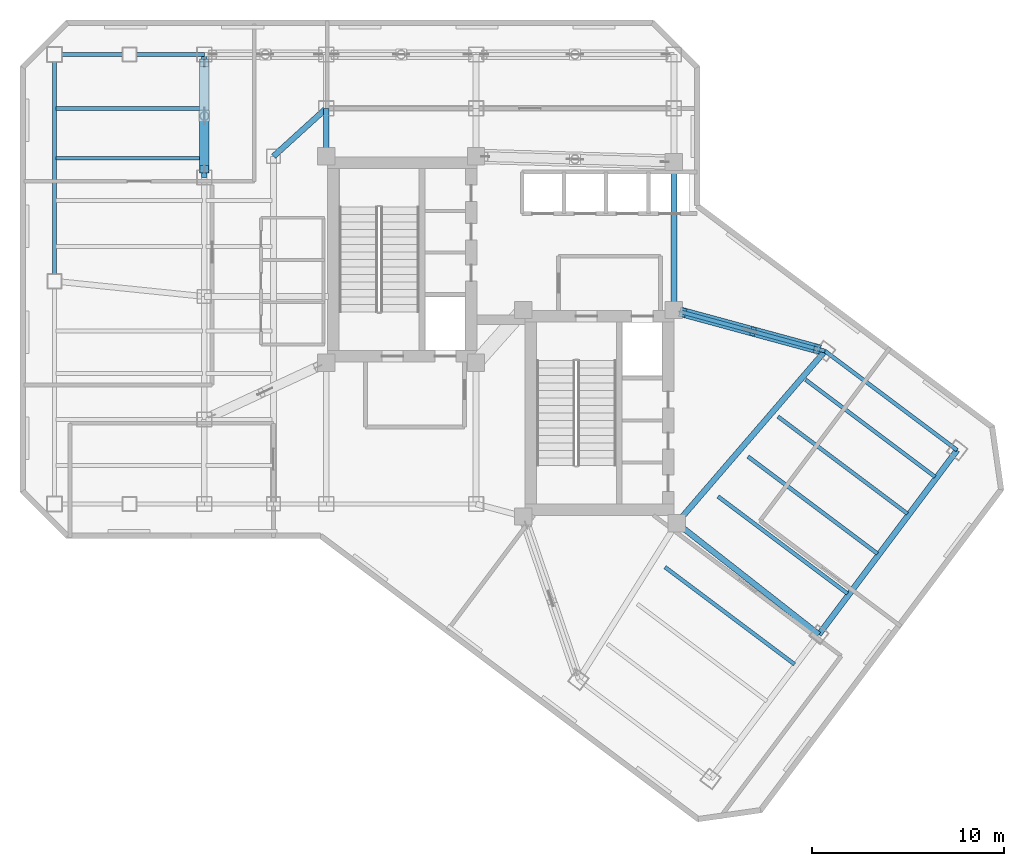
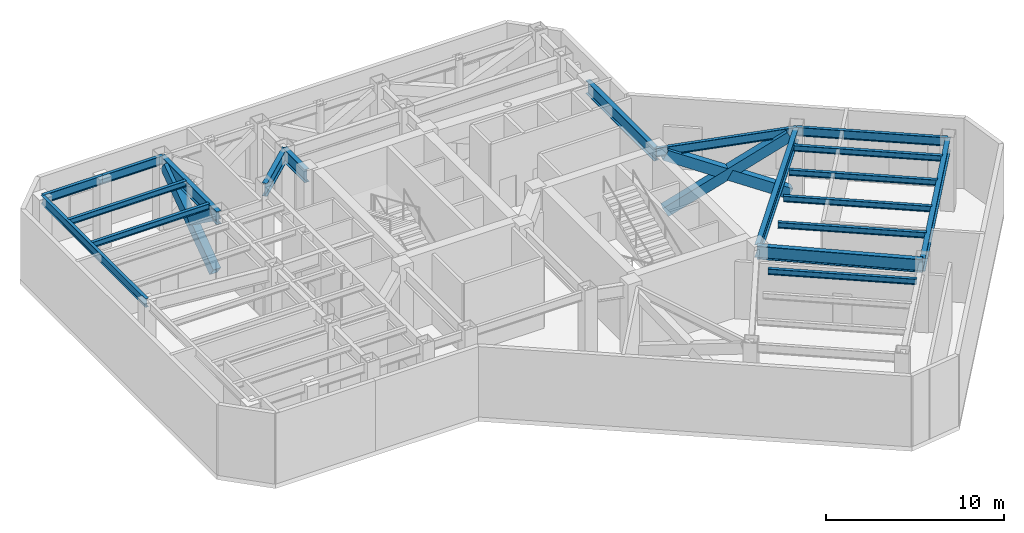
# One storey, part 2 of 12: 19 beams, 5 members.
"""IFC4 building model written with IfcOpenShell, lengths in metres."""

import ifcopenshell
import ifcopenshell.guid

model = None  # the IFC model being written
_history = None  # IfcOwnerHistory: only IFC2X3 demands one
_inside = {}  # id of a spatial element -> (the spatial element, [elements in it])
_under = {}  # id of a project, library or spatial element -> (it, [spatial elements below it])
_declared = {}  # id of a project -> (the project, [libraries it declares])
_typed = {}  # id of a type object -> (the type object, [elements of that type])
_made_of = {}  # id of a material, layer set ... -> (it, [elements and type objects made of it])


def new_model(schema):
    """Start an empty IFC model of exactly this schema.

    Asked for "IFC4X3", IfcOpenShell would pick the latest addendum, in which some entities
    have other attributes; the version numbers below select the first issue.
    IFC2X3 requires an IfcOwnerHistory on every rooted entity: one is made here for all.
    """
    global model, _history
    if schema == "IFC4X3":
        model = ifcopenshell.file(schema_version=(4, 3, 0, 0))
    else:
        model = ifcopenshell.file(schema=schema)
    _inside.clear()
    _under.clear()
    _declared.clear()
    _typed.clear()
    _made_of.clear()
    _history = None
    if model.schema == "IFC2X3":
        org = make("IfcOrganization", Name="unknown")
        user = make(
            "IfcPersonAndOrganization",
            ThePerson=make("IfcPerson", FamilyName="unknown"),
            TheOrganization=org,
        )
        app = make(
            "IfcApplication",
            ApplicationDeveloper=org,
            Version="unknown",
            ApplicationFullName="unknown",
            ApplicationIdentifier="unknown",
        )
        _history = make(
            "IfcOwnerHistory",
            OwningUser=user,
            OwningApplication=app,
            ChangeAction="ADDED",
            CreationDate=0,
        )
    return model


def make(cls, **values):
    """One entity of the class cls with the attributes given. An attribute that is None is left unset."""
    return model.create_entity(
        cls, **{name: value for name, value in values.items() if value is not None}
    )


def rooted(cls, **values):
    """An entity with a GlobalId (a new one), such as an element, a storey or a relation."""
    return make(cls, GlobalId=ifcopenshell.guid.new(), OwnerHistory=_history, **values)


def si_unit(unit_type, name, prefix=None):
    """IfcSIUnit, for example si_unit("LENGTHUNIT", "METRE", prefix="MILLI")."""
    return make("IfcSIUnit", UnitType=unit_type, Prefix=prefix, Name=name)


def assignment(units):
    """IfcUnitAssignment: the units of a project."""
    return None if units is None else make("IfcUnitAssignment", Units=units)


def point(xyz):
    """IfcCartesianPoint."""
    return None if xyz is None else make("IfcCartesianPoint", Coordinates=xyz)


def direction(xyz):
    """IfcDirection."""
    return None if xyz is None else make("IfcDirection", DirectionRatios=xyz)


def frame(location, z_axis=None, x_axis=None):
    """IfcAxis2Placement3D, a coordinate frame: its origin and axes. An axis left out is left unset."""
    return make(
        "IfcAxis2Placement3D",
        Location=point(location),
        Axis=direction(z_axis),
        RefDirection=direction(x_axis),
    )


def frame_2d(location, x_axis=None):
    """IfcAxis2Placement2D, a coordinate frame in the plane: its origin and x axis."""
    return make(
        "IfcAxis2Placement2D", Location=point(location), RefDirection=direction(x_axis)
    )


def origin():
    """The frame at (0, 0, 0) with its axes left unset."""
    return frame((0.0, 0.0, 0.0))


def origin_2d():
    """The frame at (0, 0) in the plane with its x axis left unset."""
    return frame_2d((0.0, 0.0))


def place(relative_to, where):
    """IfcLocalPlacement: puts the frame where relative to a parent placement (None: the world)."""
    return make(
        "IfcLocalPlacement", PlacementRelTo=relative_to, RelativePlacement=where
    )


def context(
    kind, dimensions, precision=None, world=None, true_north=None, identifier=None
):
    """IfcGeometricRepresentationContext, for example the 3D "Model" context."""
    return make(
        "IfcGeometricRepresentationContext",
        ContextIdentifier=identifier,
        ContextType=kind,
        CoordinateSpaceDimension=dimensions,
        Precision=precision,
        WorldCoordinateSystem=world,
        TrueNorth=true_north,
    )


def subcontext(parent, identifier, kind, view, scale=None):
    """IfcGeometricRepresentationSubContext, for example "Body" below "Model"."""
    return make(
        "IfcGeometricRepresentationSubContext",
        ContextIdentifier=identifier,
        ContextType=kind,
        ParentContext=parent,
        TargetScale=scale,
        TargetView=view,
    )


def project(units=None, contexts=None):
    """IfcProject with its units and contexts."""
    return rooted(
        "IfcProject",
        Name="project",
        RepresentationContexts=contexts,
        UnitsInContext=assignment(units),
    )


def spatial(cls, under=None, at=None, **own):
    """A site, building, storey or space (cls), placed at a placement, below another one or the project."""
    s = rooted(cls, ObjectPlacement=at, **own)
    if under is not None:
        _under.setdefault(under.id(), (under, []))[1].append(s)
    return s


def profile(cls, at=None, kind="AREA", **sizes):
    """A parametric profile (cls). Its sizes go by their IFC names, for example OverallWidth=200.0."""
    return make(cls, ProfileType=kind, Position=at, **sizes)


def hollow_rectangle(**sizes):
    """IfcRectangleHollowProfileDef."""
    return profile("IfcRectangleHollowProfileDef", **sizes)


def i_section(**sizes):
    """IfcIShapeProfileDef."""
    return profile("IfcIShapeProfileDef", **sizes)


def extrude(swept, where, along, depth):
    """IfcExtrudedAreaSolid: the profile swept, set in the frame where, extruded along a direction by depth."""
    return make(
        "IfcExtrudedAreaSolid",
        SweptArea=swept,
        Position=where,
        ExtrudedDirection=direction(along),
        Depth=depth,
    )


def shape(context_of_items, identifier, shape_type, items):
    """IfcShapeRepresentation: the items that make up one representation, for example the "Body"."""
    return make(
        "IfcShapeRepresentation",
        ContextOfItems=context_of_items,
        RepresentationIdentifier=identifier,
        RepresentationType=shape_type,
        Items=items,
    )


def material(Name=None, Category=None):
    """IfcMaterial."""
    return make("IfcMaterial", Name=Name, Category=Category)


def material_profile(
    of_material, cross_section, Name=None, Category=None, Priority=None
):
    """IfcMaterialProfile: a cross section and its material."""
    return make(
        "IfcMaterialProfile",
        Name=Name,
        Material=of_material,
        Profile=cross_section,
        Priority=Priority,
        Category=Category,
    )


def profile_set(profiles, Name=None, composite=None):
    """IfcMaterialProfileSet."""
    return make(
        "IfcMaterialProfileSet",
        Name=Name,
        MaterialProfiles=profiles,
        CompositeProfile=composite,
    )


def made_of(thing, what):
    """Note that an element or type object is made of a material, layer set ...; save() writes the relation."""
    if what is not None:
        _made_of.setdefault(what.id(), (what, []))[1].append(thing)
    return thing


def type_object(cls, material=None, **own):
    """A type object (cls), such as IfcWallType, which elements share."""
    return made_of(rooted(cls, **own), material)


def element(
    cls,
    number,
    at=None,
    inside=None,
    cuts=None,
    type_object=None,
    material=None,
    context=None,
    identifier="Body",
    shape_type=None,
    held_by="IfcProductDefinitionShape",
    body=None,
    shapes=None,
    **own,
):
    """One element of the class cls, such as IfcWall. Its Tag is "e" and its number.

    at: its placement. inside: the storey or other place that contains it. cuts: it is an
    opening in that element (IfcRelVoidsElement). A single representation is given by context,
    identifier, shape_type and body (its items); several are given by shapes. held_by: the class
    of the entity that holds the representations. save() writes the other relations.
    """
    e = rooted(cls, Tag="e%d" % number, ObjectPlacement=at, **own)
    if body is not None:
        shapes = [shape(context, identifier, shape_type, body)]
    if shapes is not None:
        e.Representation = make(held_by, Representations=shapes)
    if inside is not None:
        _inside.setdefault(inside.id(), (inside, []))[1].append(e)
    if cuts is not None:
        rooted(
            "IfcRelVoidsElement", RelatingBuildingElement=cuts, RelatedOpeningElement=e
        )
    if type_object is not None:
        _typed.setdefault(type_object.id(), (type_object, []))[1].append(e)
    return made_of(e, material)


def aggregate(whole, parts):
    """IfcRelAggregates: a whole, such as a stair, and the parts it consists of."""
    return rooted("IfcRelAggregates", RelatingObject=whole, RelatedObjects=parts)


def save(model, path):
    """Write the relations noted so far, then the file.

    IfcRelAggregates (storeys below a building ...), IfcRelContainedInSpatialStructure (elements
    in a storey), IfcRelDefinesByType, IfcRelAssociatesMaterial and IfcRelDeclares: one each for
    every whole, place, type object, material and project.
    """
    for whole, parts in _under.values():
        aggregate(whole, parts)
    for where, things in _inside.values():
        rooted(
            "IfcRelContainedInSpatialStructure",
            RelatedElements=things,
            RelatingStructure=where,
        )
    for kind, things in _typed.values():
        rooted("IfcRelDefinesByType", RelatedObjects=things, RelatingType=kind)
    for what, things in _made_of.values():
        rooted("IfcRelAssociatesMaterial", RelatedObjects=things, RelatingMaterial=what)
    for by, libraries in _declared.values():
        rooted("IfcRelDeclares", RelatingContext=by, RelatedDefinitions=libraries)
    model.write(path)


model = new_model("IFC4")

# Units and contexts
model_context = context("Model", 3, precision=1e-05, world=origin(), true_north=direction((0.0, 1.0)))
body_context = subcontext(model_context, "Body", "Model", "MODEL_VIEW")
ifc_project = project(units=[si_unit("LENGTHUNIT", "METRE"), si_unit("AREAUNIT", "SQUARE_METRE"), si_unit("VOLUMEUNIT", "CUBIC_METRE"), si_unit("PLANEANGLEUNIT", "RADIAN"), si_unit("MASSUNIT", "GRAM", prefix="KILO")], contexts=[model_context])

# Site, building, storey
site_placement = place(None, origin())
site = spatial("IfcSite", under=ifc_project, at=site_placement, CompositionType="ELEMENT")
building_placement = place(site_placement, origin())
building = spatial("IfcBuilding", under=site, at=building_placement, Name="Hatsunagi Terrace Concourse", CompositionType="ELEMENT")
storey_placement = place(building_placement, frame((0.0, 0.0, 181.64990234375)))
storey = spatial("IfcBuildingStorey", under=building, at=storey_placement, Name="L48", CompositionType="ELEMENT", Elevation=181.64990234375)

# Beams
ifc_material_1 = material(Name="Steel SN490B", Category="steel")
ifc_material_profile_1 = material_profile(ifc_material_1, i_section(OverallWidth=0.300048828125, OverallDepth=0.89990234375, WebThickness=0.01611328125, FlangeThickness=0.028076171875, FilletRadius=0.02197265625, at=origin_2d()), Name="H-900x300x16x28")
ifc_profile_set_1 = profile_set([ifc_material_profile_1], Name="Steel SN490B")
beam_type_1 = type_object("IfcBeamType", Name="HeavyRefugeGirder_H_900x300", PredefinedType="BEAM", material=ifc_profile_set_1)
beam_1_placement = place(storey_placement, frame((43.64990234375, 35.300048828125, 4.400146484375), z_axis=(0.0, 1.0, 0.0), x_axis=(-1.0, 0.0, 0.0)))
element("IfcBeam", 1, at=beam_1_placement, inside=storey, type_object=beam_type_1, Name="Beam G-02 BM-L48-CBK3", PredefinedType="BEAM", context=body_context, shape_type="SweptSolid", body=[
    extrude(i_section(OverallWidth=0.300048828125, OverallDepth=0.89990234375, WebThickness=0.01611328125, FlangeThickness=0.028076171875, FilletRadius=0.02197265625, at=origin_2d()), origin(), (0.0, 0.0, 1.0), 7.699951171875),
])
beam_2_placement = place(storey_placement, frame((25.550048828125, 43.300048828125, 4.400146484375), z_axis=(0.0, 1.0, 0.0), x_axis=(-1.0, 0.0, 0.0)))
element("IfcBeam", 2, at=beam_2_placement, inside=storey, type_object=beam_type_1, Name="Beam G-02 BM-L48-CN1", PredefinedType="BEAM", context=body_context, shape_type="SweptSolid", body=[
    extrude(i_section(OverallWidth=0.300048828125, OverallDepth=0.89990234375, WebThickness=0.01611328125, FlangeThickness=0.028076171875, FilletRadius=0.02197265625, at=origin_2d()), origin(), (0.0, 0.0, 1.0), 2.5),
])
beam_3_placement = place(storey_placement, frame((22.800048828125, 43.300048828125, 4.400146484375), z_axis=(0.739940073396, 0.672672793996, 0.0), x_axis=(-0.672672793996, 0.739940073396, 0.0)))
element("IfcBeam", 3, at=beam_3_placement, inside=storey, type_object=beam_type_1, Name="Beam G-02 BM-L48-CWEW-N", PredefinedType="BEAM", context=body_context, shape_type="SweptSolid", body=[
    extrude(i_section(OverallWidth=0.300048828125, OverallDepth=0.89990234375, WebThickness=0.01611328125, FlangeThickness=0.028076171875, FilletRadius=0.02197265625, at=origin_2d()), origin(), (0.0, 0.0, 1.0), 3.716552734375),
])
beam_4_placement = place(storey_placement, frame((19.199951171875, 42.199951171875, 4.400146484375), z_axis=(0.0, 1.0, 0.0), x_axis=(-1.0, 0.0, 0.0)))
element("IfcBeam", 4, at=beam_4_placement, inside=storey, type_object=beam_type_1, Name="Beam G-02 BM-L48-NS-19-42", PredefinedType="BEAM", context=body_context, shape_type="SweptSolid", body=[
    extrude(i_section(OverallWidth=0.300048828125, OverallDepth=0.89990234375, WebThickness=0.01611328125, FlangeThickness=0.028076171875, FilletRadius=0.02197265625, at=origin_2d()), origin(), (0.0, 0.0, 1.0), 6.400146484375),
])
beam_5_placement = place(storey_placement, frame((43.800048828125, 24.199951171875, 4.400146484375), z_axis=(0.652739101421, 0.757582777969, 0.0), x_axis=(-0.757582777969, 0.652739101421, 0.0)))
element("IfcBeam", 5, at=beam_5_placement, inside=storey, type_object=beam_type_1, Name="Beam G-02 BM-L48-SET-1B", PredefinedType="BEAM", context=body_context, shape_type="SweptSolid", body=[
    extrude(i_section(OverallWidth=0.300048828125, OverallDepth=0.89990234375, WebThickness=0.01611328125, FlangeThickness=0.028076171875, FilletRadius=0.02197265625, at=origin_2d()), origin(), (0.0, 0.0, 1.0), 11.8271484375),
])
beam_6_placement = place(storey_placement, frame((43.800048828125, 24.199951171875, 4.400146484375), z_axis=(0.787049441068, -0.616889923175, 0.0), x_axis=(0.616889923175, 0.787049441068, 0.0)))
element("IfcBeam", 6, at=beam_6_placement, inside=storey, type_object=beam_type_1, Name="Beam G-02 BM-L48-SE-M2", PredefinedType="BEAM", context=body_context, shape_type="SweptSolid", body=[
    extrude(i_section(OverallWidth=0.300048828125, OverallDepth=0.89990234375, WebThickness=0.01611328125, FlangeThickness=0.028076171875, FilletRadius=0.02197265625, at=origin_2d()), origin(), (0.0, 0.0, 1.0), 9.402099609375),
])
beam_7_placement = place(storey_placement, frame((51.199951171875, 18.39990234375, 4.400146484375), z_axis=(0.59999348959, 0.800004882766, 0.0), x_axis=(-0.800004882766, 0.59999348959, 0.0)))
element("IfcBeam", 7, at=beam_7_placement, inside=storey, type_object=beam_type_1, Name="Beam G-02 BM-L48-SET-2B", PredefinedType="BEAM", context=body_context, shape_type="SweptSolid", body=[
    extrude(i_section(OverallWidth=0.300048828125, OverallDepth=0.89990234375, WebThickness=0.01611328125, FlangeThickness=0.028076171875, FilletRadius=0.02197265625, at=origin_2d()), origin(), (0.0, 0.0, 1.0), 12.0),
])

# Members
ifc_material_2 = material(Name="Steel SN490C", Category="steel")
ifc_material_profile_2 = material_profile(ifc_material_2, hollow_rectangle(XDim=0.5, YDim=0.699951171875, WallThickness=0.031982421875, at=origin_2d()), Name="RHS-700x500x32")
ifc_profile_set_2 = profile_set([ifc_material_profile_2], Name="Steel SN490C")
member_type = type_object("IfcMemberType", Name="OutriggerDiagonal_RHS_700x500x32", PredefinedType="BRACE", material=ifc_profile_set_2)
member_1_placement = place(storey_placement, frame((19.199951171875, 42.6279296875, 0.460205078125), z_axis=(0.0, 0.815830271687, 0.57829142117), x_axis=(-1.0, 0.0, 0.0)))
element("IfcMember", 8, at=member_1_placement, inside=storey, type_object=member_type, Name="Primary Continuous Brace OUT-01 OUT-L48-2A", PredefinedType="BRACE", context=body_context, shape_type="SweptSolid", body=[
    extrude(hollow_rectangle(XDim=0.5, YDim=0.699951171875, WallThickness=0.031982421875, at=origin_2d()), origin(), (0.0, 0.0, 1.0), 6.795654296875),
])
member_2_placement = place(storey_placement, frame((19.199951171875, 42.6279296875, 4.39013671875), z_axis=(0.0, 0.815834453323, -0.578285521842), x_axis=(-1.0, 0.0, 0.0)))
element("IfcMember", 9, at=member_2_placement, inside=storey, type_object=member_type, Name="Split Secondary Brace Upper OUT-01 OUT-L48-2B1", PredefinedType="BRACE", context=body_context, shape_type="SweptSolid", body=[
    extrude(hollow_rectangle(XDim=0.5, YDim=0.699951171875, WallThickness=0.031982421875, at=origin_2d()), origin(), (0.0, 0.0, 1.0), 3.258056640625),
])
member_3_placement = place(storey_placement, frame((44.111083984375, 35.175048828125, 0.460205078125), z_axis=(0.84832164511, -0.230768355388, 0.476546275391), x_axis=(0.262490491821, 0.964934578976, 0.0)))
element("IfcMember", 10, at=member_3_placement, inside=storey, type_object=member_type, Name="Primary Continuous Brace OUT-01 OUT-L48-6A", PredefinedType="BRACE", context=body_context, shape_type="SweptSolid", body=[
    extrude(hollow_rectangle(XDim=0.5, YDim=0.699951171875, WallThickness=0.031982421875, at=origin_2d()), origin(), (0.0, 0.0, 1.0), 8.24658203125),
])
for number, where, z_axis, x_axis, name in (
    (11, (44.111083984375, 35.175048828125, 4.39013671875), (0.848348278961, -0.230721309394, -0.476521641665), (0.262432992954, 0.964950218513, 0.0), "Split Secondary Brace Upper OUT-01 OUT-L48-6B1"),
    (12, (47.72802734375, 34.19091796875, 2.358154296875), (0.848348278961, -0.230721309394, -0.476521641665), (0.262432992954, 0.964950218513, 0.0), "Split Secondary Brace Lower OUT-01 OUT-L48-6B2"),
):
    element("IfcMember", number, at=place(storey_placement, frame(where, z_axis=z_axis, x_axis=x_axis)), inside=storey, type_object=member_type, Name=name, PredefinedType="BRACE", context=body_context, shape_type="SweptSolid", body=[
        extrude(hollow_rectangle(XDim=0.5, YDim=0.699951171875, WallThickness=0.031982421875, at=origin_2d()), origin(), (0.0, 0.0, 1.0), 3.98291015625),
    ])

# Beams
ifc_material_3 = material(Name="Steel SN490B", Category="steel")
ifc_material_profile_3 = material_profile(ifc_material_3, i_section(OverallWidth=0.199951171875, OverallDepth=0.60009765625, WebThickness=0.010986328125, FlangeThickness=0.01708984375, FilletRadius=0.01806640625, at=origin_2d()), Name="H-600x200x11x17")
ifc_profile_set_3 = profile_set([ifc_material_profile_3], Name="Steel SN490B")
beam_type_2 = type_object("IfcBeamType", Name="PerimeterSpandrel_H_600x200", PredefinedType="SPANDREL", material=ifc_profile_set_3)
beam_8_placement = place(storey_placement, frame((11.39990234375, 48.60009765625, 4.550048828125), z_axis=(1.0, 0.0, 0.0), x_axis=(0.0, 1.0, 0.0)))
element("IfcBeam", 13, at=beam_8_placement, inside=storey, type_object=beam_type_2, Name="Beam SP-01 BM-L48-WN-11", PredefinedType="SPANDREL", context=body_context, shape_type="SweptSolid", body=[
    extrude(i_section(OverallWidth=0.199951171875, OverallDepth=0.60009765625, WebThickness=0.010986328125, FlangeThickness=0.01708984375, FilletRadius=0.01806640625, at=origin_2d()), origin(), (0.0, 0.0, 1.0), 3.900146484375),
])
beam_9_placement = place(storey_placement, frame((15.300048828125, 48.60009765625, 4.550048828125), z_axis=(1.0, 0.0, 0.0), x_axis=(0.0, 1.0, 0.0)))
element("IfcBeam", 14, at=beam_9_placement, inside=storey, type_object=beam_type_2, Name="Beam SP-01 BM-L48-WN-15", PredefinedType="SPANDREL", context=body_context, shape_type="SweptSolid", body=[
    extrude(i_section(OverallWidth=0.199951171875, OverallDepth=0.60009765625, WebThickness=0.010986328125, FlangeThickness=0.01708984375, FilletRadius=0.01806640625, at=origin_2d()), origin(), (0.0, 0.0, 1.0), 3.89990234375),
])
beam_10_placement = place(storey_placement, frame((11.39990234375, 36.800048828125, 4.550048828125), z_axis=(0.0, 1.0, 0.0), x_axis=(-1.0, 0.0, 0.0)))
element("IfcBeam", 15, at=beam_10_placement, inside=storey, type_object=beam_type_2, Name="Beam SP-01 BM-L48-NS-11-36", PredefinedType="SPANDREL", context=body_context, shape_type="SweptSolid", body=[
    extrude(i_section(OverallWidth=0.199951171875, OverallDepth=0.60009765625, WebThickness=0.010986328125, FlangeThickness=0.01708984375, FilletRadius=0.01806640625, at=origin_2d()), origin(), (0.0, 0.0, 1.0), 11.800048828125),
])
beam_11_placement = place(storey_placement, frame((43.64990234375, 35.300048828125, 4.550048828125), z_axis=(0.964958359286, -0.262403057994, 0.0), x_axis=(0.262403057994, 0.964958359286, 0.0)))
element("IfcBeam", 16, at=beam_11_placement, inside=storey, type_object=beam_type_2, Name="Beam SP-01 BM-L48-SE-NE0", PredefinedType="SPANDREL", context=body_context, shape_type="SweptSolid", body=[
    extrude(i_section(OverallWidth=0.199951171875, OverallDepth=0.60009765625, WebThickness=0.010986328125, FlangeThickness=0.01708984375, FilletRadius=0.01806640625, at=origin_2d()), origin(), (0.0, 0.0, 1.0), 8.156005859375),
])
beam_12_placement = place(storey_placement, frame((51.52001953125, 33.159912109375, 4.550048828125), z_axis=(0.8, -0.6, 0.0), x_axis=(0.6, 0.8, 0.0)))
element("IfcBeam", 17, at=beam_12_placement, inside=storey, type_object=beam_type_2, Name="Beam SP-01 BM-L48-SE-NE2", PredefinedType="SPANDREL", context=body_context, shape_type="SweptSolid", body=[
    extrude(i_section(OverallWidth=0.199951171875, OverallDepth=0.60009765625, WebThickness=0.010986328125, FlangeThickness=0.01708984375, FilletRadius=0.01806640625, at=origin_2d()), origin(), (0.0, 0.0, 1.0), 8.599853515625),
])
ifc_material_4 = material(Name="Steel SN490B", Category="steel")
ifc_material_profile_4 = material_profile(ifc_material_4, i_section(OverallWidth=0.199951171875, OverallDepth=0.39990234375, WebThickness=0.008056640625, FlangeThickness=0.012939453125, FilletRadius=0.012939453125, at=origin_2d()), Name="H-400x200x8x13")
ifc_profile_set_4 = profile_set([ifc_material_profile_4], Name="Steel SN490B")
beam_type_3 = type_object("IfcBeamType", Name="PodiumJoist_H_400x200", PredefinedType="JOIST", material=ifc_profile_set_4)
for number, where, z_axis, x_axis, name in (
    (18, (11.465087890625, 43.199951171875, 4.650146484375), (1.0, 0.0, 0.0), (0.0, 1.0, 0.0), "Beam J-01 J-L48-W-11-432"),
    (19, (11.465087890625, 45.800048828125, 4.650146484375), (1.0, 0.0, 0.0), (0.0, 1.0, 0.0), "Beam J-01 J-L48-W-11-458"),
):
    element("IfcBeam", number, at=place(storey_placement, frame(where, z_axis=z_axis, x_axis=x_axis)), inside=storey, type_object=beam_type_3, Name=name, PredefinedType="JOIST", context=body_context, shape_type="SweptSolid", body=[
        extrude(i_section(OverallWidth=0.199951171875, OverallDepth=0.39990234375, WebThickness=0.008056640625, FlangeThickness=0.012939453125, FilletRadius=0.012939453125, at=origin_2d()), origin(), (0.0, 0.0, 1.0), 7.64990234375),
    ])
for number, where, z_axis, x_axis, name in (
    (20, (43.18798828125, 21.908935546875, 4.650146484375), (0.800003475366, -0.59999536615, 0.0), (0.59999536615, 0.800003475366, 0.0), "Beam J-01 J-L48-SE-2-96"),
    (21, (45.947998046875, 25.589111328125, 4.650146484375), (0.799989573921, -0.600013901187, 0.0), (0.600013901187, 0.799989573921, 0.0), "Beam J-01 J-L48-SE-2-142"),
    (22, (47.508056640625, 27.6689453125, 4.650146484375), (0.800003475366, -0.59999536615, 0.0), (0.59999536615, 0.800003475366, 0.0), "Beam J-01 J-L48-SE-2-168"),
    (23, (49.068115234375, 29.7490234375, 4.650146484375), (0.799989573921, -0.600013901187, 0.0), (0.600013901187, 0.799989573921, 0.0), "Beam J-01 J-L48-SE-2-194"),
    (24, (50.508056640625, 31.6689453125, 4.650146484375), (0.800003475366, -0.59999536615, 0.0), (0.59999536615, 0.800003475366, 0.0), "Beam J-01 J-L48-SE-2-218"),
):
    element("IfcBeam", number, at=place(storey_placement, frame(where, z_axis=z_axis, x_axis=x_axis)), inside=storey, type_object=beam_type_3, Name=name, PredefinedType="JOIST", context=body_context, shape_type="SweptSolid", body=[
        extrude(i_section(OverallWidth=0.199951171875, OverallDepth=0.39990234375, WebThickness=0.008056640625, FlangeThickness=0.012939453125, FilletRadius=0.012939453125, at=origin_2d()), origin(), (0.0, 0.0, 1.0), 8.429931640625),
    ])

save(model, "model.ifc")
